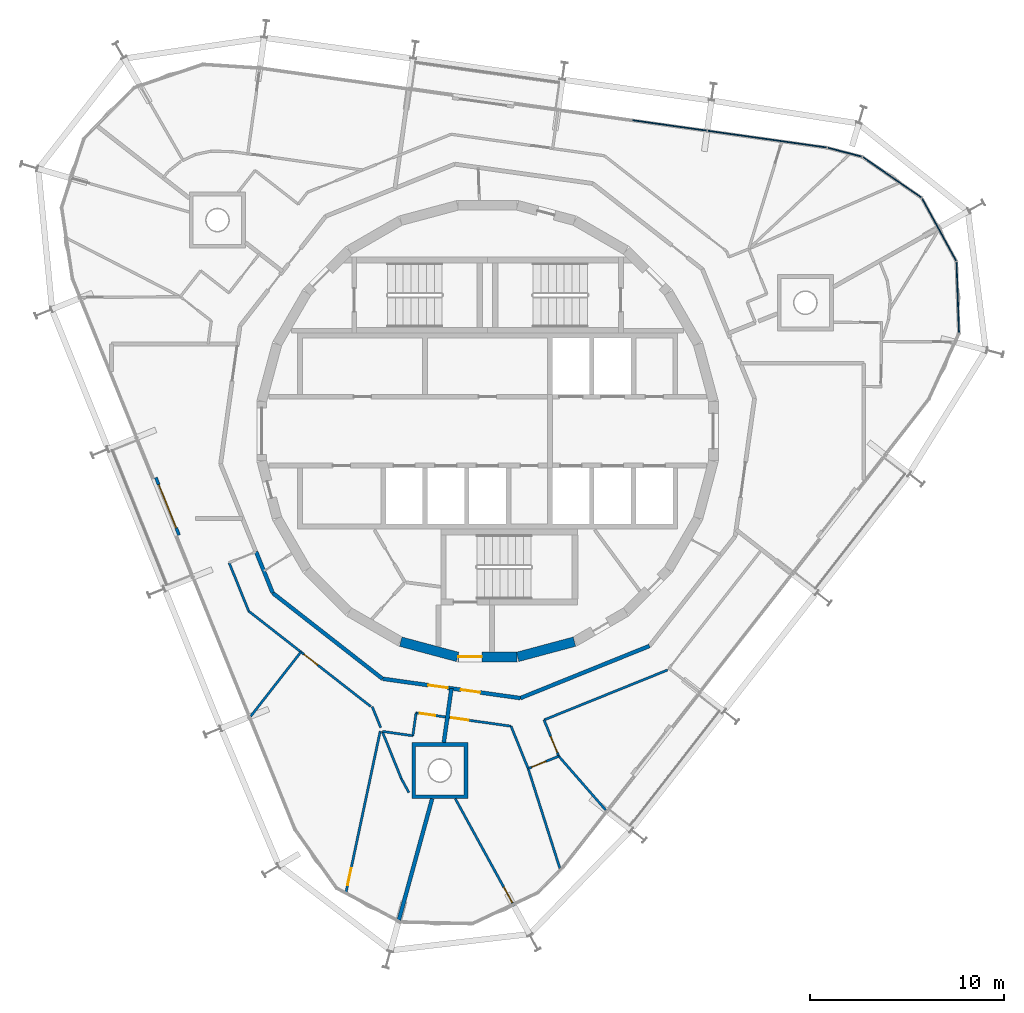
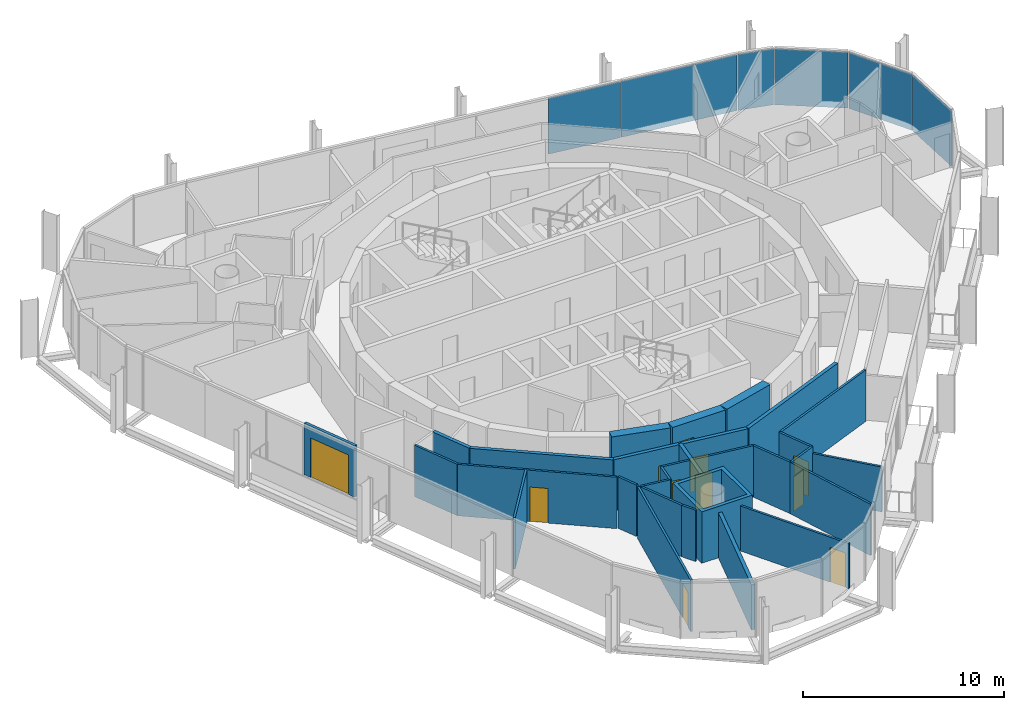
# One storey, part 9 of 15: 28 walls, 11 doors, 6 plates, 11 openings, 2 elements without a shape of their own.
"""IFC4 building model written with IfcOpenShell, lengths in metres."""

from ifc_helpers import new_model, si_unit, direction, frame, frame_2d, origin, origin_2d, place, context, subcontext, project, spatial, polyline, rectangle, outline, extrude, material, layer, layer_set, type_object, element, fill, aggregate, save


model = new_model("IFC4")

# Units and contexts
model_context = context("Model", 3, precision=1e-05, world=origin(), true_north=direction((0.0, 1.0)))
body_context = subcontext(model_context, "Body", "Model", "MODEL_VIEW")
ifc_project = project(units=[si_unit("LENGTHUNIT", "METRE"), si_unit("AREAUNIT", "SQUARE_METRE"), si_unit("VOLUMEUNIT", "CUBIC_METRE"), si_unit("PLANEANGLEUNIT", "RADIAN"), si_unit("MASSUNIT", "GRAM", prefix="KILO")], contexts=[model_context])

# Site, building, storey
site_placement = place(None, origin())
site = spatial("IfcSite", under=ifc_project, at=site_placement, CompositionType="ELEMENT")
building_placement = place(site_placement, origin())
building = spatial("IfcBuilding", under=site, at=building_placement, Name="Spindle Arch Residences", CompositionType="ELEMENT")
storey_placement = place(building_placement, frame((0.0, 0.0, 340.0)))
storey = spatial("IfcBuildingStorey", under=building, at=storey_placement, Name="L87", CompositionType="ELEMENT", Elevation=340.0)

# Curtain wall, plates
ifc_material_1 = material(Name="Aluminium bronze unitised frame with tinted glass", Category="aluminium")
ifc_layer_1 = layer(ifc_material_1, 0.159912109375)
ifc_layer_set_1 = layer_set([ifc_layer_1], Name="CW-D corner wall on the fillet arcs")
curtain_wall_type_1 = type_object("IfcCurtainWallType", Name="CW-D corner wall on the fillet arcs", PredefinedType="NOTDEFINED", material=ifc_layer_set_1)
curtain_wall_1_placement = place(storey_placement, origin())
curtain_wall_1 = element("IfcCurtainWall", 1, at=curtain_wall_1_placement, inside=storey, type_object=curtain_wall_type_1, Name="CW-D L87 run 1", PredefinedType="NOTDEFINED")
ifc_material_2 = material(Name="Tinted double glazing over aluminium faced non-combustible spandrel zone (K0)", Category="aluminium")
ifc_layer_2 = layer(ifc_material_2, 0.06005859375)
ifc_layer_set_2 = layer_set([ifc_layer_2], Name="Unitised glass panel with E 60 spandrel zone")
plate_type = type_object("IfcPlateType", Name="Unitised glass panel with E 60 spandrel zone", PredefinedType="CURTAIN_PANEL", material=ifc_layer_set_2)
plate_1_placement = place(storey_placement, frame((24.2470703125, 6.896240234375, -0.3798828125), z_axis=(0.0, 0.0, 1.0), x_axis=(-0.034899497139, 0.999390827004, 0.0)))
plate_1 = element("IfcPlate", 2, at=plate_1_placement, type_object=plate_type, Name="CW-D unit 02", PredefinedType="CURTAIN_PANEL", context=body_context, shape_type="SweptSolid", body=[
    extrude(rectangle(XDim=3.666748046875, YDim=0.06005859375, at=origin_2d()), origin(), (0.0, 0.0, 1.0), 3.3798828125),
])
plate_2_placement = place(storey_placement, frame((23.2880859375, 10.3935546875, -0.3798828125), z_axis=(0.0, 0.0, 1.0), x_axis=(-0.479713114021, 0.877425397533, 0.0)))
plate_2 = element("IfcPlate", 3, at=plate_2_placement, type_object=plate_type, Name="CW-D unit 03", PredefinedType="CURTAIN_PANEL", context=body_context, shape_type="SweptSolid", body=[
    extrude(rectangle(XDim=3.666748046875, YDim=0.06005859375, at=origin_2d()), origin(), (0.0, 0.0, 1.0), 3.3798828125),
])
plate_3_placement = place(storey_placement, frame((20.86181640625, 13.08837890625, -0.3798828125), z_axis=(0.0, 0.0, 1.0), x_axis=(-0.822475094841, 0.568801123739, 0.0)))
plate_3 = element("IfcPlate", 4, at=plate_3_placement, type_object=plate_type, Name="CW-D unit 04", PredefinedType="CURTAIN_PANEL", context=body_context, shape_type="SweptSolid", body=[
    extrude(rectangle(XDim=3.666748046875, YDim=0.06005859375, at=origin_2d()), origin(), (0.0, 0.0, 1.0), 3.3798828125),
])
plate_4_placement = place(storey_placement, frame((18.421630859375, 14.3857421875, -0.3798828125), z_axis=(0.0, 0.0, 1.0), x_axis=(-0.967415218326, 0.25319517245, 0.0)))
plate_4 = element("IfcPlate", 5, at=plate_4_placement, type_object=plate_type, Name="CW-D unit 05", PredefinedType="CURTAIN_PANEL", context=body_context, shape_type="SweptSolid", body=[
    extrude(rectangle(XDim=1.816162109375, YDim=0.06005859375, at=origin_2d()), origin(), (0.0, 0.0, 1.0), 3.3798828125),
])
plate_5_placement = place(storey_placement, frame((14.420166015625, 15.05810546875, -0.3798828125), z_axis=(0.0, 0.0, 1.0), x_axis=(-0.990268068742, 0.13917310096, 0.0)))
plate_5 = element("IfcPlate", 6, at=plate_5_placement, type_object=plate_type, Name="CW-D unit 06", PredefinedType="CURTAIN_PANEL", context=body_context, shape_type="SweptSolid", body=[
    extrude(rectangle(XDim=6.188720703125, YDim=0.06005859375, at=origin_2d()), origin(), (0.0, 0.0, 1.0), 3.3798828125),
])
aggregate(curtain_wall_1, [plate_1, plate_2, plate_3, plate_4, plate_5])

# Curtain wall, plate
ifc_material_3 = material(Name="Aluminium bronze unitised frame with tinted glass", Category="aluminium")
ifc_layer_3 = layer(ifc_material_3, 0.159912109375)
ifc_layer_set_3 = layer_set([ifc_layer_3], Name="CW-C typical residential unitised wall")
curtain_wall_type_2 = type_object("IfcCurtainWallType", Name="CW-C typical residential unitised wall", PredefinedType="NOTDEFINED", material=ifc_layer_set_3)
curtain_wall_2_placement = place(storey_placement, origin())
curtain_wall_2 = element("IfcCurtainWall", 7, at=curtain_wall_2_placement, inside=storey, type_object=curtain_wall_type_2, Name="CW-C L87 run 2", PredefinedType="NOTDEFINED")
plate_6_placement = place(storey_placement, frame((9.388916015625, 15.76513671875, -0.3798828125), z_axis=(0.0, 0.0, 1.0), x_axis=(-0.990268068742, 0.13917310096, 0.0)))
plate_6 = element("IfcPlate", 8, at=plate_6_placement, type_object=plate_type, Name="CW-C unit 05A", PredefinedType="CURTAIN_PANEL", context=body_context, shape_type="SweptSolid", body=[
    extrude(rectangle(XDim=3.852783203125, YDim=0.06005859375, at=origin_2d()), origin(), (0.0, 0.0, 1.0), 3.3798828125),
])
aggregate(curtain_wall_2, [plate_6])

# Walls
ifc_material_4 = material(Name="Concrete C50/60", Category="concrete")
ifc_layer_4 = layer(ifc_material_4, 0.5)
ifc_layer_set_4 = layer_set([ifc_layer_4], Name="Core outline wall 500")
wall_type_1 = type_object("IfcWallType", Name="Core outline wall 500", PredefinedType="SHEAR", material=ifc_layer_set_4)
for number, where, z_axis, x_axis, name in (
    (9, (1.5498046875, -11.642822265625, 0.0), (0.0, 0.0, 1.0), (0.965948410781, 0.258734743916, 0.0), "Core outline wall 1"),
    (10, (-4.479248046875, -10.858154296875, 0.0), (0.0, 0.0, 1.0), (0.965948410781, -0.258734743916, 0.0), "Core outline wall 23"),
):
    element("IfcWall", number, at=place(storey_placement, frame(where, z_axis=z_axis, x_axis=x_axis)), inside=storey, type_object=wall_type_1, Name=name, PredefinedType="SHEAR", context=body_context, shape_type="SweptSolid", body=[
        extrude(rectangle(XDim=3.03271484375, YDim=0.5, at=frame_2d((1.516357421875, 0.0))), origin(), (0.0, 0.0, 1.0), 3.1201171875),
    ])

# Wall, opening, door
wall_1_placement = place(storey_placement, frame((-1.516357421875, -11.647216796875, 0.0), z_axis=(0.0, 0.0, 1.0), x_axis=(1.0, 0.0, 0.0)))
wall_1 = element("IfcWall", 11, at=wall_1_placement, inside=storey, type_object=wall_type_1, Name="Core outline wall 24", PredefinedType="SHEAR", context=body_context, shape_type="SweptSolid", body=[
    extrude(rectangle(XDim=3.03271484375, YDim=0.5, at=frame_2d((1.516357421875, 0.0))), origin(), (0.0, 0.0, 1.0), 3.1201171875),
])
opening_1_placement = place(wall_1_placement, frame((0.016357421875, 0.0, 0.0)))
opening_1 = element("IfcOpeningElement", 12, at=opening_1_placement, cuts=wall_1, Name="Opening R9A0-AD03", PredefinedType="OPENING", context=body_context, shape_type="SweptSolid", body=[
    extrude(rectangle(XDim=1.199951171875, YDim=2.10009765625, at=frame_2d((0.60009765625, 1.050048828125))), frame((0.0, 0.260009765625, 0.0), z_axis=(0.0, -1.0, 0.0), x_axis=(1.0, 0.0, 0.0)), (0.0, 0.0, 1.0), 0.52001953125),
])
ifc_material_5 = material(Name="Steel, fire-resisting door", Category="steel")
door_type_1 = type_object("IfcDoorType", Name="Stair airlock door 1200x2100", OperationType="SINGLE_SWING_LEFT", PredefinedType="DOOR", material=ifc_material_5)
door_1_placement = place(opening_1_placement, origin())
door_1 = element("IfcDoor", 13, at=door_1_placement, inside=storey, type_object=door_type_1, Name="Stair airlock door R9A0-AD03", OperationType="SINGLE_SWING_RIGHT", OverallHeight=2.10009765625, OverallWidth=1.199951171875, PredefinedType="DOOR", context=body_context, shape_type="SweptSolid", body=[
    extrude(rectangle(XDim=1.199951171875, YDim=2.10009765625, at=frame_2d((0.60009765625, 1.050048828125))), frame((0.0, 0.02490234375, 0.0), z_axis=(0.0, -1.0, 0.0), x_axis=(1.0, 0.0, 0.0)), (0.0, 0.0, 1.0), 0.050048828125),
])
fill(opening_1, door_1)

# Walls
ifc_material_6 = material(Name="Calcium silicate block, plastered")
ifc_layer_5 = layer(ifc_material_6, 0.199951171875)
ifc_layer_set_5 = layer_set([ifc_layer_5], Name="Corridor wall 200")
wall_type_2 = type_object("IfcWallType", Name="Corridor wall 200", PredefinedType="STANDARD", material=ifc_layer_set_5)
wall_2_placement = place(storey_placement, frame((-11.939453125, -6.2197265625, 0.0), z_axis=(0.0, 0.0, 1.0), x_axis=(0.374651128394, -0.927165860024, 0.0)))
element("IfcWall", 14, at=wall_2_placement, inside=storey, type_object=wall_type_2, Name="Corridor wall R9A0-W013", PredefinedType="STANDARD", context=body_context, shape_type="SweptSolid", body=[
    extrude(rectangle(XDim=2.29638671875, YDim=0.199951171875, at=frame_2d((1.148193359375, 0.0))), origin(), (0.0, 0.0, 1.0), 3.1201171875),
])
wall_3_placement = place(storey_placement, frame((-11.0791015625, -8.348876953125, 0.0), z_axis=(0.0, 0.0, 1.0), x_axis=(0.78800478687, -0.615669112324, 0.0)))
element("IfcWall", 15, at=wall_3_placement, inside=storey, type_object=wall_type_2, Name="Corridor wall R9A0-W014", PredefinedType="STANDARD", context=body_context, shape_type="SweptSolid", body=[
    extrude(rectangle(XDim=7.18115234375, YDim=0.199951171875, at=frame_2d((3.590576171875, 0.0))), origin(), (0.0, 0.0, 1.0), 3.1201171875),
])

# Wall, openings, doors
wall_4_placement = place(storey_placement, frame((-5.42041015625, -12.77001953125, 0.0), z_axis=(0.0, 0.0, 1.0), x_axis=(0.990270565508, -0.139155334385, 0.0)))
wall_4 = element("IfcWall", 16, at=wall_4_placement, inside=storey, type_object=wall_type_2, Name="Corridor wall R9A0-W015", PredefinedType="STANDARD", context=body_context, shape_type="SweptSolid", body=[
    extrude(rectangle(XDim=7.180908203125, YDim=0.199951171875, at=frame_2d((3.59033203125, 0.0))), origin(), (0.0, 0.0, 1.0), 3.1201171875),
])
opening_2_placement = place(wall_4_placement, frame((2.390380859375, 0.0, 0.0)))
opening_2 = element("IfcOpeningElement", 17, at=opening_2_placement, cuts=wall_4, Name="Opening R9A0-FD05", PredefinedType="OPENING", context=body_context, shape_type="SweptSolid", body=[
    extrude(rectangle(XDim=1.0, YDim=2.10009765625, at=frame_2d((0.5, 1.050048828125))), frame((0.0, 0.10986328125, 0.0), z_axis=(0.0, -1.0, 0.0), x_axis=(1.0, 0.0, 0.0)), (0.0, 0.0, 1.0), 0.219970703125),
])
opening_3_placement = place(wall_4_placement, frame((4.090576171875, 0.0, 0.0)))
opening_3 = element("IfcOpeningElement", 18, at=opening_3_placement, cuts=wall_4, Name="Opening R9A0-FD06", PredefinedType="OPENING", context=body_context, shape_type="SweptSolid", body=[
    extrude(rectangle(XDim=1.0, YDim=2.10009765625, at=frame_2d((0.5, 1.050048828125))), frame((0.0, 0.10986328125, 0.0), z_axis=(0.0, -1.0, 0.0), x_axis=(1.0, 0.0, 0.0)), (0.0, 0.0, 1.0), 0.219970703125),
])
ifc_material_7 = material(Name="Timber, fire-resisting door set", Category="wood")
door_type_2 = type_object("IfcDoorType", Name="Flat entrance door 1000x2100", OperationType="NOTDEFINED", PredefinedType="DOOR", material=ifc_material_7)
door_2_placement = place(opening_2_placement, origin())
door_2 = element("IfcDoor", 19, at=door_2_placement, inside=storey, type_object=door_type_2, Name="Flat entrance door R9A0-FD05", OperationType="SINGLE_SWING_RIGHT", OverallHeight=2.10009765625, OverallWidth=1.0, PredefinedType="DOOR", context=body_context, shape_type="SweptSolid", body=[
    extrude(rectangle(XDim=1.0, YDim=2.10009765625, at=frame_2d((0.5, 1.050048828125))), frame((0.0, 0.02490234375, 0.0), z_axis=(0.0, -1.0, 0.0), x_axis=(1.0, 0.0, 0.0)), (0.0, 0.0, 1.0), 0.050048828125),
])
fill(opening_2, door_2)
door_3_placement = place(opening_3_placement, origin())
door_3 = element("IfcDoor", 20, at=door_3_placement, inside=storey, type_object=door_type_2, Name="Flat entrance door R9A0-FD06", OperationType="SINGLE_SWING_RIGHT", OverallHeight=2.10009765625, OverallWidth=1.0, PredefinedType="DOOR", context=body_context, shape_type="SweptSolid", body=[
    extrude(rectangle(XDim=1.0, YDim=2.10009765625, at=frame_2d((0.5, 1.050048828125))), frame((0.0, 0.02490234375, 0.0), z_axis=(0.0, -1.0, 0.0), x_axis=(1.0, 0.0, 0.0)), (0.0, 0.0, 1.0), 0.050048828125),
])
fill(opening_3, door_3)

# Walls
wall_5_placement = place(storey_placement, frame((1.690673828125, -13.769287109375, 0.0), z_axis=(0.0, 0.0, 1.0), x_axis=(0.92717916932, 0.374618189599, 0.0)))
element("IfcWall", 21, at=wall_5_placement, inside=storey, type_object=wall_type_2, Name="Corridor wall R9A0-W016", PredefinedType="STANDARD", context=body_context, shape_type="SweptSolid", body=[
    extrude(rectangle(XDim=7.18115234375, YDim=0.199951171875, at=frame_2d((3.590576171875, 0.0))), origin(), (0.0, 0.0, 1.0), 3.1201171875),
])
ifc_material_8 = material(Name="Plasterboard on steel studs", Category="steel")
ifc_layer_6 = layer(ifc_material_8, 0.1201171875)
ifc_layer_set_6 = layer_set([ifc_layer_6], Name="Flat partition 120")
wall_type_3 = type_object("IfcWallType", Name="Flat partition 120", PredefinedType="PARTITIONING", material=ifc_layer_set_6)
wall_6_placement = place(storey_placement, frame((-13.330078125, -6.78173828125, 0.0), z_axis=(0.0, 0.0, 1.0), x_axis=(0.374602180132, -0.927185637637, 0.0)))
element("IfcWall", 22, at=wall_6_placement, inside=storey, type_object=wall_type_3, Name="Flat partition R9A0-W073", PredefinedType="PARTITIONING", context=body_context, shape_type="SweptSolid", body=[
    extrude(rectangle(XDim=2.6982421875, YDim=0.1201171875, at=frame_2d((1.34912109375, 0.0))), origin(), (0.0, 0.0, 1.0), 3.1201171875),
])

# Wall, opening, door
wall_7_placement = place(storey_placement, frame((-12.3193359375, -9.283447265625, 0.0), z_axis=(0.0, 0.0, 1.0), x_axis=(0.788000268464, -0.61567489546, 0.0)))
wall_7 = element("IfcWall", 23, at=wall_7_placement, inside=storey, type_object=wall_type_3, Name="Flat partition R9A0-W074", PredefinedType="PARTITIONING", context=body_context, shape_type="SweptSolid", body=[
    extrude(rectangle(XDim=7.98486328125, YDim=0.1201171875, at=frame_2d((3.992431640625, 0.0))), origin(), (0.0, 0.0, 1.0), 3.1201171875),
])
opening_4_placement = place(wall_7_placement, frame((3.619140625, 0.0, 0.0)))
opening_4 = element("IfcOpeningElement", 24, at=opening_4_placement, cuts=wall_7, Name="Opening R9A0-ID16", PredefinedType="OPENING", context=body_context, shape_type="SweptSolid", body=[
    extrude(rectangle(XDim=0.89990234375, YDim=2.10009765625, at=frame_2d((0.449951171875, 1.050048828125))), frame((0.0, 0.070068359375, 0.0), z_axis=(0.0, -1.0, 0.0), x_axis=(1.0, 0.0, 0.0)), (0.0, 0.0, 1.0), 0.14013671875),
])
ifc_material_9 = material(Name="Timber door set", Category="wood")
door_type_3 = type_object("IfcDoorType", Name="Room door 900x2100", OperationType="NOTDEFINED", PredefinedType="DOOR", material=ifc_material_9)
door_4_placement = place(opening_4_placement, origin())
door_4 = element("IfcDoor", 25, at=door_4_placement, inside=storey, type_object=door_type_3, Name="Room door R9A0-ID16", OperationType="SINGLE_SWING_RIGHT", OverallHeight=2.10009765625, OverallWidth=0.89990234375, PredefinedType="DOOR", context=body_context, shape_type="SweptSolid", body=[
    extrude(rectangle(XDim=0.89990234375, YDim=2.10009765625, at=frame_2d((0.449951171875, 1.050048828125))), frame((0.0, 0.02490234375, 0.0), z_axis=(0.0, -1.0, 0.0), x_axis=(1.0, 0.0, 0.0)), (0.0, 0.0, 1.0), 0.050048828125),
])
fill(opening_4, door_4)

# Walls
wall_8_placement = place(storey_placement, frame((-5.9482421875, -14.21044921875, 0.0), z_axis=(0.0, 0.0, 1.0), x_axis=(0.374601530156, -0.927185900241, 0.0)))
element("IfcWall", 26, at=wall_8_placement, inside=storey, type_object=wall_type_3, Name="Flat partition R9A0-W075", PredefinedType="PARTITIONING", context=body_context, shape_type="SweptSolid", body=[
    extrude(rectangle(XDim=1.166015625, YDim=0.1201171875, at=frame_2d((0.5830078125, 0.0))), origin(), (0.0, 0.0, 1.0), 3.1201171875),
])
wall_9_placement = place(storey_placement, frame((-5.4326171875, -15.486572265625, 0.0), z_axis=(0.0, 0.0, 1.0), x_axis=(0.990268451053, -0.139170380644, 0.0)))
element("IfcWall", 27, at=wall_9_placement, inside=storey, type_object=wall_type_3, Name="Flat partition R9A0-W076", PredefinedType="PARTITIONING", context=body_context, shape_type="SweptSolid", body=[
    extrude(rectangle(XDim=1.5947265625, YDim=0.1201171875, at=frame_2d((0.79736328125, 0.0))), origin(), (0.0, 0.0, 1.0), 3.1201171875),
])
wall_10_placement = place(storey_placement, frame((-3.853515625, -15.70849609375, 0.0), z_axis=(0.0, 0.0, 1.0), x_axis=(0.139298773474, 0.99025039849, 0.0)))
element("IfcWall", 28, at=wall_10_placement, inside=storey, type_object=wall_type_3, Name="Flat partition R9A0-W077", PredefinedType="PARTITIONING", context=body_context, shape_type="SweptSolid", body=[
    extrude(rectangle(XDim=1.19189453125, YDim=0.1201171875, at=frame_2d((0.595947265625, 0.0))), origin(), (0.0, 0.0, 1.0), 3.1201171875),
])

# Wall, openings, doors
wall_11_placement = place(storey_placement, frame((-3.6875, -14.5283203125, 0.0), z_axis=(0.0, 0.0, 1.0), x_axis=(0.990273698817, -0.139133035013, 0.0)))
wall_11 = element("IfcWall", 29, at=wall_11_placement, inside=storey, type_object=wall_type_3, Name="Flat partition R9A0-W078", PredefinedType="PARTITIONING", context=body_context, shape_type="SweptSolid", body=[
    extrude(rectangle(XDim=4.94482421875, YDim=0.1201171875, at=frame_2d((2.472412109375, 0.0))), origin(), (0.0, 0.0, 1.0), 3.1201171875),
])
opening_5_placement = place(wall_11_placement, frame((0.199951171875, 0.0, 0.0)))
opening_5 = element("IfcOpeningElement", 30, at=opening_5_placement, cuts=wall_11, Name="Opening R9A0-BD05", PredefinedType="OPENING", context=body_context, shape_type="SweptSolid", body=[
    extrude(rectangle(XDim=0.800048828125, YDim=2.10009765625, at=frame_2d((0.39990234375, 1.050048828125))), frame((0.0, 0.070068359375, 0.0), z_axis=(0.0, -1.0, 0.0), x_axis=(1.0, 0.0, 0.0)), (0.0, 0.0, 1.0), 0.14013671875),
])
opening_6_placement = place(wall_11_placement, frame((1.829833984375, 0.0, 0.0)))
opening_6 = element("IfcOpeningElement", 31, at=opening_6_placement, cuts=wall_11, Name="Opening R9A0-ID18", PredefinedType="OPENING", context=body_context, shape_type="SweptSolid", body=[
    extrude(rectangle(XDim=0.89990234375, YDim=2.10009765625, at=frame_2d((0.449951171875, 1.050048828125))), frame((0.0, 0.070068359375, 0.0), z_axis=(0.0, -1.0, 0.0), x_axis=(1.0, 0.0, 0.0)), (0.0, 0.0, 1.0), 0.14013671875),
])
ifc_material_10 = material(Name="Timber door set", Category="wood")
door_type_4 = type_object("IfcDoorType", Name="Bathroom door 800x2100", OperationType="NOTDEFINED", PredefinedType="DOOR", material=ifc_material_10)
door_5_placement = place(opening_5_placement, origin())
door_5 = element("IfcDoor", 32, at=door_5_placement, inside=storey, type_object=door_type_4, Name="Bathroom door R9A0-BD05", OperationType="SINGLE_SWING_RIGHT", OverallHeight=2.10009765625, OverallWidth=0.800048828125, PredefinedType="DOOR", context=body_context, shape_type="SweptSolid", body=[
    extrude(rectangle(XDim=0.800048828125, YDim=2.10009765625, at=frame_2d((0.39990234375, 1.050048828125))), frame((0.0, 0.02490234375, 0.0), z_axis=(0.0, -1.0, 0.0), x_axis=(1.0, 0.0, 0.0)), (0.0, 0.0, 1.0), 0.050048828125),
])
fill(opening_5, door_5)
door_6_placement = place(opening_6_placement, origin())
door_6 = element("IfcDoor", 33, at=door_6_placement, inside=storey, type_object=door_type_3, Name="Room door R9A0-ID18", OperationType="SINGLE_SWING_RIGHT", OverallHeight=2.10009765625, OverallWidth=0.89990234375, PredefinedType="DOOR", context=body_context, shape_type="SweptSolid", body=[
    extrude(rectangle(XDim=0.89990234375, YDim=2.10009765625, at=frame_2d((0.449951171875, 1.050048828125))), frame((0.0, 0.02490234375, 0.0), z_axis=(0.0, -1.0, 0.0), x_axis=(1.0, 0.0, 0.0)), (0.0, 0.0, 1.0), 0.050048828125),
])
fill(opening_6, door_6)

# Wall
wall_12_placement = place(storey_placement, frame((-12.218505859375, -14.7080078125, 0.0), z_axis=(0.0, 0.0, 1.0), x_axis=(0.615656413137, 0.788014708596, 0.0)))
element("IfcWall", 34, at=wall_12_placement, inside=storey, type_object=wall_type_3, Name="Flat partition R9A0-W079", PredefinedType="PARTITIONING", context=body_context, shape_type="SweptSolid", body=[
    extrude(rectangle(XDim=4.212646484375, YDim=0.1201171875, at=frame_2d((2.1064453125, 0.0))), origin(), (0.0, 0.0, 1.0), 3.1201171875),
])

# Wall, opening, door
wall_13_placement = place(storey_placement, frame((-7.305419921875, -23.81494140625, 0.0), z_axis=(0.0, 0.0, 1.0), x_axis=(0.207366409306, 0.978263345062, 0.0)))
wall_13 = element("IfcWall", 35, at=wall_13_placement, inside=storey, type_object=wall_type_3, Name="Flat partition R9A0-W080", PredefinedType="PARTITIONING", context=body_context, shape_type="SweptSolid", body=[
    extrude(rectangle(XDim=8.528564453125, YDim=0.1201171875, at=frame_2d((4.26416015625, 0.0))), origin(), (0.0, 0.0, 1.0), 3.1201171875),
])
opening_7_placement = place(wall_13_placement, frame((0.39990234375, 0.0, 0.0)))
opening_7 = element("IfcOpeningElement", 36, at=opening_7_placement, cuts=wall_13, Name="Opening R9A0-ID17", PredefinedType="OPENING", context=body_context, shape_type="SweptSolid", body=[
    extrude(rectangle(XDim=0.89990234375, YDim=2.10009765625, at=frame_2d((0.449951171875, 1.050048828125))), frame((0.0, 0.070068359375, 0.0), z_axis=(0.0, -1.0, 0.0), x_axis=(1.0, 0.0, 0.0)), (0.0, 0.0, 1.0), 0.14013671875),
])
door_7_placement = place(opening_7_placement, origin())
door_7 = element("IfcDoor", 37, at=door_7_placement, inside=storey, type_object=door_type_3, Name="Room door R9A0-ID17", OperationType="SINGLE_SWING_RIGHT", OverallHeight=2.10009765625, OverallWidth=0.89990234375, PredefinedType="DOOR", context=body_context, shape_type="SweptSolid", body=[
    extrude(rectangle(XDim=0.89990234375, YDim=2.10009765625, at=frame_2d((0.449951171875, 1.050048828125))), frame((0.0, 0.02490234375, 0.0), z_axis=(0.0, -1.0, 0.0), x_axis=(1.0, 0.0, 0.0)), (0.0, 0.0, 1.0), 0.050048828125),
])
fill(opening_7, door_7)

# Walls
wall_14_placement = place(storey_placement, frame((-4.05859375, -18.637939453125, 0.0), z_axis=(0.0, 0.0, 1.0), x_axis=(-0.479488268542, 0.877548289458, 0.0)))
element("IfcWall", 38, at=wall_14_placement, inside=storey, type_object=wall_type_3, Name="Flat partition R9A0-W081", PredefinedType="PARTITIONING", context=body_context, shape_type="SweptSolid", body=[
    extrude(rectangle(XDim=0.806640625, YDim=0.1201171875, at=frame_2d((0.4033203125, 0.0))), origin(), (0.0, 0.0, 1.0), 3.1201171875),
])
wall_15_placement = place(storey_placement, frame((-4.4453125, -17.93017578125, 0.0), z_axis=(0.0, 0.0, 1.0), x_axis=(-0.374614676827, 0.927180588616, 0.0)))
element("IfcWall", 39, at=wall_15_placement, inside=storey, type_object=wall_type_3, Name="Flat partition R9A0-W082", PredefinedType="PARTITIONING", context=body_context, shape_type="SweptSolid", body=[
    extrude(rectangle(XDim=2.635498046875, YDim=0.1201171875, at=frame_2d((1.31787109375, 0.0))), origin(), (0.0, 0.0, 1.0), 3.1201171875),
])
wall_16_placement = place(storey_placement, frame((1.209228515625, -15.21630859375, 0.0), z_axis=(0.0, 0.0, 1.0), x_axis=(0.374531550488, -0.927214170345, 0.0)))
element("IfcWall", 40, at=wall_16_placement, inside=storey, type_object=wall_type_3, Name="Flat partition R9A0-W083", PredefinedType="PARTITIONING", context=body_context, shape_type="SweptSolid", body=[
    extrude(rectangle(XDim=2.357177734375, YDim=0.1201171875, at=frame_2d((1.1787109375, 0.0))), origin(), (0.0, 0.0, 1.0), 3.1201171875),
])

# Wall, opening, door
wall_17_placement = place(storey_placement, frame((2.092041015625, -17.40185546875, 0.0), z_axis=(0.0, 0.0, 1.0), x_axis=(0.927153589835, 0.374681492546, 0.0)))
wall_17 = element("IfcWall", 41, at=wall_17_placement, inside=storey, type_object=wall_type_3, Name="Flat partition R9A0-W084", PredefinedType="PARTITIONING", context=body_context, shape_type="SweptSolid", body=[
    extrude(rectangle(XDim=1.699951171875, YDim=0.1201171875, at=frame_2d((0.85009765625, 0.0))), origin(), (0.0, 0.0, 1.0), 3.1201171875),
])
opening_8_placement = place(wall_17_placement, frame((0.199951171875, 0.0, 0.0)))
opening_8 = element("IfcOpeningElement", 42, at=opening_8_placement, cuts=wall_17, Name="Opening R9A0-BD06", PredefinedType="OPENING", context=body_context, shape_type="SweptSolid", body=[
    extrude(rectangle(XDim=0.800048828125, YDim=2.10009765625, at=frame_2d((0.39990234375, 1.050048828125))), frame((0.0, 0.070068359375, 0.0), z_axis=(0.0, -1.0, 0.0), x_axis=(1.0, 0.0, 0.0)), (0.0, 0.0, 1.0), 0.14013671875),
])
door_8_placement = place(opening_8_placement, origin())
door_8 = element("IfcDoor", 43, at=door_8_placement, inside=storey, type_object=door_type_4, Name="Bathroom door R9A0-BD06", OperationType="SINGLE_SWING_LEFT", OverallHeight=2.10009765625, OverallWidth=0.800048828125, PredefinedType="DOOR", context=body_context, shape_type="SweptSolid", body=[
    extrude(rectangle(XDim=0.800048828125, YDim=2.10009765625, at=frame_2d((0.39990234375, 1.050048828125))), frame((0.0, 0.02490234375, 0.0), z_axis=(0.0, -1.0, 0.0), x_axis=(1.0, 0.0, 0.0)), (0.0, 0.0, 1.0), 0.050048828125),
])
fill(opening_8, door_8)

wall_18_placement = place(storey_placement, frame((3.668212890625, -16.764892578125, 0.0), z_axis=(0.0, 0.0, 1.0), x_axis=(-0.374621045498, 0.927178015416, 0.0)))
wall_18 = element("IfcWall", 44, at=wall_18_placement, inside=storey, type_object=wall_type_3, Name="Flat partition R9A0-W085", PredefinedType="PARTITIONING", context=body_context, shape_type="SweptSolid", body=[
    extrude(rectangle(XDim=2.018310546875, YDim=0.1201171875, at=frame_2d((1.00927734375, 0.0))), origin(), (0.0, 0.0, 1.0), 3.1201171875),
])
opening_9_placement = place(wall_18_placement, frame((0.199951171875, 0.0, 0.0)))
opening_9 = element("IfcOpeningElement", 45, at=opening_9_placement, cuts=wall_18, Name="Opening R9A0-ID19", PredefinedType="OPENING", context=body_context, shape_type="SweptSolid", body=[
    extrude(rectangle(XDim=0.89990234375, YDim=2.10009765625, at=frame_2d((0.449951171875, 1.050048828125))), frame((0.0, 0.070068359375, 0.0), z_axis=(0.0, -1.0, 0.0), x_axis=(1.0, 0.0, 0.0)), (0.0, 0.0, 1.0), 0.14013671875),
])
door_9_placement = place(opening_9_placement, origin())
door_9 = element("IfcDoor", 46, at=door_9_placement, inside=storey, type_object=door_type_3, Name="Room door R9A0-ID19", OperationType="SINGLE_SWING_RIGHT", OverallHeight=2.10009765625, OverallWidth=0.89990234375, PredefinedType="DOOR", context=body_context, shape_type="SweptSolid", body=[
    extrude(rectangle(XDim=0.89990234375, YDim=2.10009765625, at=frame_2d((0.449951171875, 1.050048828125))), frame((0.0, 0.02490234375, 0.0), z_axis=(0.0, -1.0, 0.0), x_axis=(1.0, 0.0, 0.0)), (0.0, 0.0, 1.0), 0.050048828125),
])
fill(opening_9, door_9)

# Walls
wall_19_placement = place(storey_placement, frame((2.912109375, -14.8935546875, 0.0), z_axis=(0.0, 0.0, 1.0), x_axis=(0.927182280165, 0.374610490174, 0.0)))
element("IfcWall", 47, at=wall_19_placement, inside=storey, type_object=wall_type_3, Name="Flat partition R9A0-W086", PredefinedType="PARTITIONING", context=body_context, shape_type="SweptSolid", body=[
    extrude(rectangle(XDim=6.871826171875, YDim=0.1201171875, at=frame_2d((3.43603515625, 0.0))), origin(), (0.0, 0.0, 1.0), 3.1201171875),
])
wall_20_placement = place(storey_placement, frame((3.7275390625, -22.5478515625, 0.0), z_axis=(0.0, 0.0, 1.0), x_axis=(-0.302890110312, 0.953025488156, 0.0)))
element("IfcWall", 48, at=wall_20_placement, inside=storey, type_object=wall_type_3, Name="Flat partition R9A0-W089", PredefinedType="PARTITIONING", context=body_context, shape_type="SweptSolid", body=[
    extrude(rectangle(XDim=5.399658203125, YDim=0.1201171875, at=frame_2d((2.69970703125, 0.0))), origin(), (0.0, 0.0, 1.0), 3.1201171875),
])

# Wall, opening, door
ifc_material_11 = material(Name="Plasterboard on steel studs", Category="steel")
ifc_layer_7 = layer(ifc_material_11, 0.1201171875)
ifc_layer_set_7 = layer_set([ifc_layer_7], Name="Flat partition 120 under beam 2730")
wall_type_4 = type_object("IfcWallType", Name="Flat partition 120 under beam 2730", PredefinedType="PARTITIONING", material=ifc_layer_set_7)
wall_21_placement = place(storey_placement, frame((1.36328125, -24.4853515625, 0.0), z_axis=(0.0, 0.0, 1.0), x_axis=(-0.480397592444, 0.877050827018, 0.0)))
wall_21 = element("IfcWall", 49, at=wall_21_placement, inside=storey, type_object=wall_type_4, Name="Flat partition R9A0-W088", PredefinedType="PARTITIONING", context=body_context, shape_type="SweptSolid", body=[
    extrude(rectangle(XDim=6.305908203125, YDim=0.1201171875, at=frame_2d((3.15283203125, 0.0))), origin(), (0.0, 0.0, 1.0), 2.72998046875),
])
opening_10_placement = place(wall_21_placement, frame((0.199951171875, 0.0, 0.0)))
opening_10 = element("IfcOpeningElement", 50, at=opening_10_placement, cuts=wall_21, Name="Opening R9A0-ID21", PredefinedType="OPENING", context=body_context, shape_type="SweptSolid", body=[
    extrude(rectangle(XDim=0.89990234375, YDim=2.10009765625, at=frame_2d((0.449951171875, 1.050048828125))), frame((0.0, 0.070068359375, 0.0), z_axis=(0.0, -1.0, 0.0), x_axis=(1.0, 0.0, 0.0)), (0.0, 0.0, 1.0), 0.14013671875),
])
door_10_placement = place(opening_10_placement, origin())
door_10 = element("IfcDoor", 51, at=door_10_placement, inside=storey, type_object=door_type_3, Name="Room door R9A0-ID21", OperationType="SINGLE_SWING_LEFT", OverallHeight=2.10009765625, OverallWidth=0.89990234375, PredefinedType="DOOR", context=body_context, shape_type="SweptSolid", body=[
    extrude(rectangle(XDim=0.89990234375, YDim=2.10009765625, at=frame_2d((0.449951171875, 1.050048828125))), frame((0.0, 0.02490234375, 0.0), z_axis=(0.0, -1.0, 0.0), x_axis=(1.0, 0.0, 0.0)), (0.0, 0.0, 1.0), 0.050048828125),
])
fill(opening_10, door_10)

# Walls
wall_22_placement = place(storey_placement, frame((6.097412109375, -19.5458984375, 0.0), z_axis=(0.0, 0.0, 1.0), x_axis=(-0.657863093444, 0.753137537429, 0.0)))
element("IfcWall", 52, at=wall_22_placement, inside=storey, type_object=wall_type_4, Name="Flat partition R9A0-W090", PredefinedType="PARTITIONING", context=body_context, shape_type="SweptSolid", body=[
    extrude(rectangle(XDim=3.692626953125, YDim=0.1201171875, at=frame_2d((1.84619140625, 0.0))), origin(), (0.0, 0.0, 1.0), 2.72998046875),
])
ifc_material_12 = material(Name="Calcium silicate block, plastered")
ifc_layer_8 = layer(ifc_material_12, 0.199951171875)
ifc_layer_set_8 = layer_set([ifc_layer_8], Name="Flat party wall 200")
wall_type_5 = type_object("IfcWallType", Name="Flat party wall 200", PredefinedType="STANDARD", material=ifc_layer_set_8)
wall_23_placement = place(storey_placement, frame((-2.25634765625, -16.0546875, 0.0), z_axis=(0.0, 0.0, 1.0), x_axis=(0.139148428478, 0.990271535919, 0.0)))
element("IfcWall", 53, at=wall_23_placement, inside=storey, type_object=wall_type_5, Name="Flat party wall R9A0-W029", PredefinedType="STANDARD", context=body_context, shape_type="SweptSolid", body=[
    extrude(rectangle(XDim=2.8125, YDim=0.199951171875, at=frame_2d((1.40625, 0.0))), origin(), (0.0, 0.0, 1.0), 3.1201171875),
])
ifc_material_13 = material(Name="Calcium silicate block, plastered")
ifc_layer_9 = layer(ifc_material_13, 0.199951171875)
ifc_layer_set_9 = layer_set([ifc_layer_9], Name="Flat party wall 200 under beam 2730")
wall_type_6 = type_object("IfcWallType", Name="Flat party wall 200 under beam 2730", PredefinedType="STANDARD", material=ifc_layer_set_9)
wall_24_placement = place(storey_placement, frame((-4.573974609375, -25.209716796875, 0.0), z_axis=(0.0, 0.0, 1.0), x_axis=(0.264579024648, 0.964364007892, 0.0)))
element("IfcWall", 54, at=wall_24_placement, inside=storey, type_object=wall_type_6, Name="Flat party wall R9A0-W030", PredefinedType="STANDARD", context=body_context, shape_type="SweptSolid", body=[
    extrude(rectangle(XDim=6.486083984375, YDim=0.199951171875, at=frame_2d((3.2431640625, 0.0))), origin(), (0.0, 0.0, 1.0), 2.72998046875),
])

# Wall, opening, door
ifc_material_14 = material(Name="Non-combustible mineral wool insulated aluminium faced external wall (K0)", Category="aluminium")
ifc_layer_10 = layer(ifc_material_14, 0.159912109375)
ifc_layer_set_10 = layer_set([ifc_layer_10], Name="Insulated external wall panel 160")
wall_type_7 = type_object("IfcWallType", Name="Insulated external wall panel 160", PredefinedType="STANDARD", material=ifc_layer_set_10)
wall_25_placement = place(storey_placement, frame((-17.107177734375, -2.394287109375, 0.0), z_axis=(0.0, 0.0, 1.0), x_axis=(0.374598019739, -0.927187318511, 0.0)))
wall_25 = element("IfcWall", 55, at=wall_25_placement, inside=storey, type_object=wall_type_7, Name="External wall L87 bay 13", PredefinedType="STANDARD", context=body_context, shape_type="SweptSolid", body=[
    extrude(rectangle(XDim=3.199951171875, YDim=0.159912109375, at=frame_2d((1.60009765625, 0.0))), origin(), (0.0, 0.0, 1.0), 3.1201171875),
])
opening_11_placement = place(wall_25_placement, frame((0.39990234375, 0.0, 0.0)))
opening_11 = element("IfcOpeningElement", 56, at=opening_11_placement, cuts=wall_25, Name="Opening BD13", PredefinedType="OPENING", context=body_context, shape_type="SweptSolid", body=[
    extrude(rectangle(XDim=2.39990234375, YDim=2.39990234375, at=frame_2d((1.199951171875, 1.199951171875))), frame((0.0, 0.08984375, 0.0), z_axis=(0.0, -1.0, 0.0), x_axis=(1.0, 0.0, 0.0)), (0.0, 0.0, 1.0), 0.179931640625),
])
ifc_material_15 = material(Name="Bronze aluminium frame, tinted double glazing", Category="aluminium")
door_type_5 = type_object("IfcDoorType", Name="Sliding glazed balcony door 2400x2400", OperationType="DOUBLE_DOOR_SLIDING", PredefinedType="DOOR", material=ifc_material_15)
door_11_placement = place(opening_11_placement, origin())
door_11 = element("IfcDoor", 57, at=door_11_placement, inside=storey, type_object=door_type_5, Name="Balcony door BD13", OperationType="DOUBLE_DOOR_SLIDING", OverallHeight=2.39990234375, OverallWidth=2.39990234375, PredefinedType="DOOR", context=body_context, shape_type="SweptSolid", body=[
    extrude(rectangle(XDim=2.39990234375, YDim=2.39990234375, at=frame_2d((1.199951171875, 1.199951171875))), frame((0.0, 0.02490234375, 0.0), z_axis=(0.0, -1.0, 0.0), x_axis=(1.0, 0.0, 0.0)), (0.0, 0.0, 1.0), 0.050048828125),
])
fill(opening_11, door_11)

# Wall
ifc_material_16 = material(Name="Calcium silicate block, plastered")
ifc_layer_11 = layer(ifc_material_16, 0.199951171875)
ifc_layer_set_11 = layer_set([ifc_layer_11], Name="Mega-column casing wall 200")
wall_type_8 = type_object("IfcWallType", Name="Mega-column casing wall 200", PredefinedType="STANDARD", material=ifc_layer_set_11)
wall_26_placement = place(storey_placement, origin())
element("IfcWall", 58, at=wall_26_placement, inside=storey, type_object=wall_type_8, Name="Mega-column casing wall R9A0-WC03", PredefinedType="STANDARD", context=body_context, shape_type="SweptSolid", body=[
    extrude(outline(polyline([(-1.010009765625, -16.0546875), (-1.010009765625, -18.954833984375), (-3.91015625, -18.954833984375), (-3.91015625, -16.0546875), (-1.010009765625, -16.0546875)]), holes=[polyline([(-3.710205078125, -18.7548828125), (-1.210205078125, -18.7548828125), (-1.210205078125, -16.2548828125), (-3.710205078125, -16.2548828125), (-3.710205078125, -18.7548828125)])]), origin(), (0.0, 0.0, 1.0), 3.1201171875),
])

save(model, "model.ifc")
